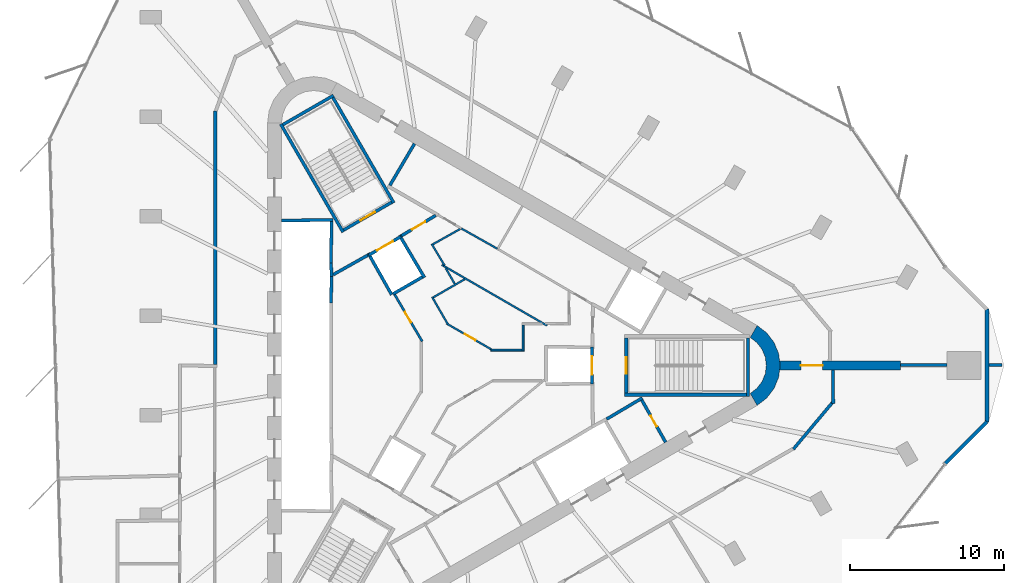
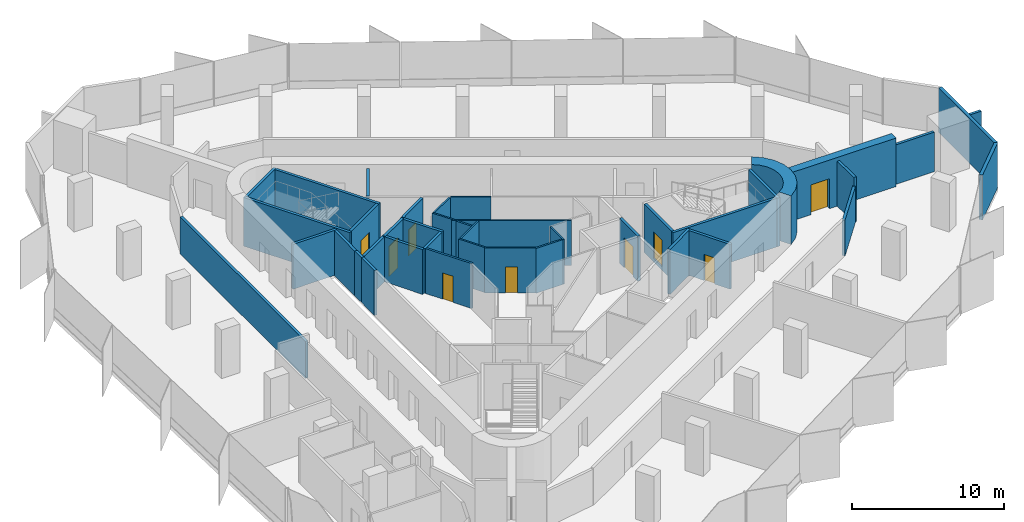
# One storey, part 9 of 12: 41 walls, 9 doors, 9 openings.
"""IFC4 building model written with IfcOpenShell, lengths in metres."""

from ifc_helpers import new_model, si_unit, direction, frame, frame_2d, origin, place, context, subcontext, project, spatial, polyline, rectangle, outline, extrude, material, layer, layer_set, type_object, element, fill, save


model = new_model("IFC4")

# Units and contexts
model_context = context("Model", 3, precision=1e-05, world=origin(), true_north=direction((0.0, 1.0)))
body_context = subcontext(model_context, "Body", "Model", "MODEL_VIEW")
ifc_project = project(units=[si_unit("LENGTHUNIT", "METRE"), si_unit("AREAUNIT", "SQUARE_METRE"), si_unit("VOLUMEUNIT", "CUBIC_METRE"), si_unit("PLANEANGLEUNIT", "RADIAN"), si_unit("MASSUNIT", "GRAM", prefix="KILO")], contexts=[model_context])

# Site, building, storey
site_placement = place(None, origin())
site = spatial("IfcSite", under=ifc_project, at=site_placement, CompositionType="ELEMENT")
building_placement = place(site_placement, origin())
building = spatial("IfcBuilding", under=site, at=building_placement, Name="Tanit Gate Tower", CompositionType="ELEMENT")
storey_placement = place(building_placement, frame((0.0, 0.0, 349.39990234375)))
storey = spatial("IfcBuildingStorey", under=building, at=storey_placement, Name="L79", CompositionType="ELEMENT", Elevation=349.39990234375)

# Wall, opening, door
ifc_material_1 = material(Name="Concrete C40/50", Category="concrete")
ifc_layer_1 = layer(ifc_material_1, 0.60009765625)
ifc_layer_set_1 = layer_set([ifc_layer_1], Name="BUTTRESS FIN 600 C40/50")
wall_type_1 = type_object("IfcWallType", Name="BUTTRESS FIN 600 C40/50", PredefinedType="SHEAR", material=ifc_layer_set_1)
wall_1_placement = place(storey_placement, frame((21.14990234375, 0.0, 0.0), z_axis=(0.0, 0.0, 1.0), x_axis=(1.0, 0.0, 0.0)))
wall_1 = element("IfcWall", 1, at=wall_1_placement, inside=storey, type_object=wall_type_1, Name="BUTTRESS FIN", PredefinedType="SHEAR", context=body_context, shape_type="SweptSolid", body=[
    extrude(rectangle(XDim=7.8544921875, YDim=0.60009765625, at=frame_2d((3.92724609375, 0.0))), origin(), (0.0, 0.0, 1.0), 3.900146484375),
])
opening_1_placement = place(wall_1_placement, frame((1.39990234375, 0.0, 0.0)))
opening_1 = element("IfcOpeningElement", 2, at=opening_1_placement, cuts=wall_1, Name="Opening P14-S22-F-E-1", PredefinedType="OPENING", context=body_context, shape_type="SweptSolid", body=[
    extrude(rectangle(XDim=1.39990234375, YDim=2.39990234375, at=frame_2d((0.699951171875, 1.199951171875))), frame((0.0, 0.31005859375, 0.0), z_axis=(0.0, -1.0, 0.0), x_axis=(1.0, 0.0, 0.0)), (0.0, 0.0, 1.0), 0.6201171875),
])
ifc_material_2 = material(Name="Timber door leaf", Category="wood")
door_type_1 = type_object("IfcDoorType", Name="INT-DOOR-FIN-PAIR-1400", OperationType="NOTDEFINED", PredefinedType="NOTDEFINED", material=ifc_material_2)
door_1_placement = place(opening_1_placement, origin())
door_1 = element("IfcDoor", 3, at=door_1_placement, inside=storey, type_object=door_type_1, Name="Door P14-S22-F-E-1", OperationType="DOUBLE_DOOR_SINGLE_SWING", OverallHeight=2.39990234375, OverallWidth=1.39990234375, PredefinedType="NOTDEFINED", context=body_context, shape_type="SweptSolid", body=[
    extrude(rectangle(XDim=1.39990234375, YDim=2.39990234375, at=frame_2d((0.699951171875, 1.199951171875))), frame((0.0, 0.02490234375, 0.0), z_axis=(0.0, -1.0, 0.0), x_axis=(1.0, 0.0, 0.0)), (0.0, 0.0, 1.0), 0.050048828125),
])
fill(opening_1, door_1)

# Walls
ifc_material_3 = material(Name="Concrete C40/50", Category="concrete")
ifc_layer_2 = layer(ifc_material_3, 0.89990234375)
ifc_layer_set_2 = layer_set([ifc_layer_2], Name="CORE WALL 900 C40/50")
wall_type_2 = type_object("IfcWallType", Name="CORE WALL 900 C40/50", PredefinedType="SHEAR", material=ifc_layer_set_2)
wall_2_placement = place(storey_placement, origin())
element("IfcWall", 4, at=wall_2_placement, inside=storey, type_object=wall_type_2, Name="CORE WALL CORNER", PredefinedType="SHEAR", context=body_context, shape_type="SweptSolid", body=[
    extrude(outline(polyline([(19.699951171875, -2.59814453125), (20.3212890625, -2.121337890625), (20.798095703125, -1.5), (21.097900390625, -0.776611328125), (21.199951171875, 0.0), (21.097900390625, 0.776611328125), (20.798095703125, 1.5), (20.3212890625, 2.121337890625), (19.699951171875, 2.59814453125), (19.25, 1.818603515625), (19.684814453125, 1.48486328125), (20.018798828125, 1.050048828125), (20.228515625, 0.54345703125), (20.300048828125, 0.0), (20.228515625, -0.54345703125), (20.018798828125, -1.050048828125), (19.684814453125, -1.48486328125), (19.25, -1.818603515625), (19.699951171875, -2.59814453125)])), origin(), (0.0, 0.0, 1.0), 3.900146484375),
])
ifc_material_4 = material(Name="Concrete C30/37 with bronze anodised aluminium cladding", Category="concrete")
ifc_layer_3 = layer(ifc_material_4, 0.239990234375)
ifc_layer_set_3 = layer_set([ifc_layer_3], Name="Facade wall bronze clad 240")
wall_type_3 = type_object("IfcWallType", Name="Facade wall bronze clad 240", PredefinedType="SOLIDWALL", material=ifc_layer_set_3)
wall_3_placement = place(storey_placement, frame((31.927001953125, -6.367431640625, 0.0), z_axis=(0.0, 0.0, 1.0), x_axis=(0.707074898653, 0.707138662283, 0.0)))
element("IfcWall", 5, at=wall_3_placement, inside=storey, type_object=wall_type_3, Name="Bronze-clad facade wall L79 E.arc1", PredefinedType="SOLIDWALL", context=body_context, shape_type="SweptSolid", body=[
    extrude(rectangle(XDim=3.828857421875, YDim=0.239990234375, at=frame_2d((1.91455078125, 0.0))), origin(), (0.0, 0.0, 1.0), 3.60009765625),
])
wall_4_placement = place(storey_placement, frame((34.63427734375, -3.659912109375, 0.0), z_axis=(0.0, 0.0, 1.0), x_axis=(0.0, 1.0, 0.0)))
element("IfcWall", 6, at=wall_4_placement, inside=storey, type_object=wall_type_3, Name="Bronze-clad facade wall L79 E.arc2", PredefinedType="SOLIDWALL", context=body_context, shape_type="SweptSolid", body=[
    extrude(rectangle(XDim=7.31982421875, YDim=0.239990234375, at=frame_2d((3.659912109375, 0.0))), origin(), (0.0, 0.0, 1.0), 3.60009765625),
])
ifc_material_5 = material(Name="Fire-rated gypsum board partition")
ifc_layer_4 = layer(ifc_material_5, 0.199951171875)
ifc_layer_set_4 = layer_set([ifc_layer_4], Name="INT-WALL-COMPARTMENT")
wall_type_4 = type_object("IfcWallType", Name="INT-WALL-COMPARTMENT", PredefinedType="PARTITIONING", material=ifc_layer_set_4)
wall_5_placement = place(storey_placement, frame((-2.557861328125, 14.409423828125, 0.0), z_axis=(0.0, 0.0, 1.0), x_axis=(-0.508018930956, -0.861345903683, 0.0)))
element("IfcWall", 7, at=wall_5_placement, inside=storey, type_object=wall_type_4, Name="Wall Compartment W049", PredefinedType="PARTITIONING", context=body_context, shape_type="SweptSolid", body=[
    extrude(rectangle(XDim=3.150146484375, YDim=0.199951171875, at=frame_2d((1.5751953125, 0.0))), origin(), (0.0, 0.0, 1.0), 3.60009765625),
])
wall_6_placement = place(storey_placement, frame((12.244873046875, -2.10888671875, 0.0), z_axis=(0.0, 0.0, 1.0), x_axis=(-0.860414880418, -0.509594185166, 0.0)))
element("IfcWall", 8, at=wall_6_placement, inside=storey, type_object=wall_type_4, Name="Wall Compartment W060", PredefinedType="PARTITIONING", context=body_context, shape_type="SweptSolid", body=[
    extrude(rectangle(XDim=2.7001953125, YDim=0.199951171875, at=frame_2d((1.35009765625, 0.0))), origin(), (0.0, 0.0, 1.0), 3.60009765625),
])

# Wall, opening, door
wall_7_placement = place(storey_placement, frame((13.758056640625, -4.989501953125, 0.0), z_axis=(0.0, 0.0, 1.0), x_axis=(-0.491993409184, 0.87059892334, 0.0)))
wall_7 = element("IfcWall", 9, at=wall_7_placement, inside=storey, type_object=wall_type_4, Name="Wall Compartment W061", PredefinedType="PARTITIONING", context=body_context, shape_type="SweptSolid", body=[
    extrude(rectangle(XDim=3.150146484375, YDim=0.199951171875, at=frame_2d((1.5751953125, 0.0))), origin(), (0.0, 0.0, 1.0), 3.60009765625),
])
opening_2_placement = place(wall_7_placement, frame((1.175048828125, 0.0, 0.0)))
opening_2 = element("IfcOpeningElement", 10, at=opening_2_placement, cuts=wall_7, Name="Opening R08-S22-20", PredefinedType="OPENING", context=body_context, shape_type="SweptSolid", body=[
    extrude(rectangle(XDim=0.800048828125, YDim=2.10009765625, at=frame_2d((0.39990234375, 1.050048828125))), frame((0.0, 0.10986328125, 0.0), z_axis=(0.0, -1.0, 0.0), x_axis=(1.0, 0.0, 0.0)), (0.0, 0.0, 1.0), 0.219970703125),
])
ifc_material_6 = material(Name="Timber door leaf", Category="wood")
door_type_2 = type_object("IfcDoorType", Name="INT-DOOR-RISER-800", OperationType="NOTDEFINED", PredefinedType="USERDEFINED", material=ifc_material_6)
door_2_placement = place(opening_2_placement, origin())
door_2 = element("IfcDoor", 11, at=door_2_placement, inside=storey, type_object=door_type_2, Name="Door R08-S22-20", ObjectType="FIRE DOOR", OperationType="SINGLE_SWING_RIGHT", OverallHeight=2.10009765625, OverallWidth=0.800048828125, PredefinedType="USERDEFINED", context=body_context, shape_type="SweptSolid", body=[
    extrude(rectangle(XDim=0.800048828125, YDim=2.10009765625, at=frame_2d((0.39990234375, 1.050048828125))), frame((0.0, 0.02490234375, 0.0), z_axis=(0.0, -1.0, 0.0), x_axis=(1.0, 0.0, 0.0)), (0.0, 0.0, 1.0), 0.050048828125),
])
fill(opening_2, door_2)

# Wall
wall_8_placement = place(storey_placement, frame((-5.600341796875, 7.16015625, 0.0), z_axis=(0.0, 0.0, 1.0), x_axis=(-0.871340486379, -0.490678873396, 0.0)))
element("IfcWall", 12, at=wall_8_placement, inside=storey, type_object=wall_type_4, Name="Wall Compartment W064", PredefinedType="PARTITIONING", context=body_context, shape_type="SweptSolid", body=[
    extrude(rectangle(XDim=2.580810546875, YDim=0.199951171875, at=frame_2d((1.29052734375, 0.0))), origin(), (0.0, 0.0, 1.0), 3.60009765625),
])

# Wall, opening, door
wall_9_placement = place(storey_placement, frame((-1.1787109375, 9.744873046875, 0.0), z_axis=(0.0, 0.0, 1.0), x_axis=(-0.860630814782, -0.509229418482, 0.0)))
wall_9 = element("IfcWall", 13, at=wall_9_placement, inside=storey, type_object=wall_type_4, Name="Wall Compartment W065", PredefinedType="PARTITIONING", context=body_context, shape_type="SweptSolid", body=[
    extrude(rectangle(XDim=2.581787109375, YDim=0.199951171875, at=frame_2d((1.291015625, 0.0))), origin(), (0.0, 0.0, 1.0), 3.60009765625),
])
opening_3_placement = place(wall_9_placement, frame((0.791015625, 0.0, 0.0)))
opening_3 = element("IfcOpeningElement", 14, at=opening_3_placement, cuts=wall_9, Name="Opening F10-S22-05", PredefinedType="OPENING", context=body_context, shape_type="SweptSolid", body=[
    extrude(rectangle(XDim=1.0, YDim=2.10009765625, at=frame_2d((0.5, 1.050048828125))), frame((0.0, 0.10986328125, 0.0), z_axis=(0.0, -1.0, 0.0), x_axis=(1.0, 0.0, 0.0)), (0.0, 0.0, 1.0), 0.219970703125),
])
ifc_material_7 = material(Name="Fire-rated steel door leaf", Category="steel")
door_type_3 = type_object("IfcDoorType", Name="INT-DOOR-FIRE-1000", OperationType="NOTDEFINED", PredefinedType="USERDEFINED", material=ifc_material_7)
door_3_placement = place(opening_3_placement, origin())
door_3 = element("IfcDoor", 15, at=door_3_placement, inside=storey, type_object=door_type_3, Name="Door F10-S22-05", ObjectType="FIRE DOOR", OperationType="SINGLE_SWING_LEFT", OverallHeight=2.10009765625, OverallWidth=1.0, PredefinedType="USERDEFINED", context=body_context, shape_type="SweptSolid", body=[
    extrude(rectangle(XDim=1.0, YDim=2.10009765625, at=frame_2d((0.5, 1.050048828125))), frame((0.0, 0.02490234375, 0.0), z_axis=(0.0, -1.0, 0.0), x_axis=(1.0, 0.0, 0.0)), (0.0, 0.0, 1.0), 0.050048828125),
])
fill(opening_3, door_3)

# Walls
wall_10_placement = place(storey_placement, frame((-15.5, 16.54052734375, 0.0), z_axis=(0.0, 0.0, 1.0), x_axis=(0.0, -1.0, 0.0)))
element("IfcWall", 16, at=wall_10_placement, inside=storey, type_object=wall_type_4, Name="Wall Compartment W102", PredefinedType="PARTITIONING", context=body_context, shape_type="SweptSolid", body=[
    extrude(rectangle(XDim=16.470458984375, YDim=0.199951171875, at=frame_2d((8.2353515625, 0.0))), origin(), (0.0, 0.0, 1.0), 2.97021484375),
])
wall_11_placement = place(storey_placement, frame((24.647705078125, -2.46240234375, 0.0), z_axis=(0.0, 0.0, 1.0), x_axis=(-0.012757232068, 0.999918623204, 0.0)))
element("IfcWall", 17, at=wall_11_placement, inside=storey, type_object=wall_type_4, Name="Wall Compartment W110", PredefinedType="PARTITIONING", context=body_context, shape_type="SweptSolid", body=[
    extrude(rectangle(XDim=2.16259765625, YDim=0.199951171875, at=frame_2d((1.081298828125, 0.0))), origin(), (0.0, 0.0, 1.0), 3.60009765625),
])
wall_12_placement = place(storey_placement, frame((22.05419921875, -5.435302734375, 0.0), z_axis=(0.0, 0.0, 1.0), x_axis=(0.642790979996, 0.766041615081, 0.0)))
element("IfcWall", 18, at=wall_12_placement, inside=storey, type_object=wall_type_4, Name="Wall Compartment W111", PredefinedType="PARTITIONING", context=body_context, shape_type="SweptSolid", body=[
    extrude(rectangle(XDim=3.9833984375, YDim=0.199951171875, at=frame_2d((1.99169921875, 0.0))), origin(), (0.0, 0.0, 1.0), 2.880126953125),
])
wall_13_placement = place(storey_placement, frame((29.00439453125, 0.017822265625, 0.0), z_axis=(0.0, 0.0, 1.0), x_axis=(0.999991911041, 0.004022170023, 0.0)))
element("IfcWall", 19, at=wall_13_placement, inside=storey, type_object=wall_type_4, Name="Wall Compartment W131", PredefinedType="PARTITIONING", context=body_context, shape_type="SweptSolid", body=[
    extrude(rectangle(XDim=3.034912109375, YDim=0.199951171875, at=frame_2d((1.517578125, 0.0))), origin(), (0.0, 0.0, 1.0), 3.170166015625),
])
wall_14_placement = place(storey_placement, frame((34.75439453125, 0.030029296875, 0.0), z_axis=(0.0, 0.0, 1.0), x_axis=(1.0, 0.0, 0.0)))
element("IfcWall", 20, at=wall_14_placement, inside=storey, type_object=wall_type_4, Name="Wall Compartment W132", PredefinedType="PARTITIONING", context=body_context, shape_type="SweptSolid", body=[
    extrude(rectangle(XDim=0.8525390625, YDim=0.199951171875, at=frame_2d((0.42626953125, 0.0))), origin(), (0.0, 0.0, 1.0), 3.60009765625),
])
ifc_material_8 = material(Name="Gypsum board partition")
ifc_layer_5 = layer(ifc_material_8, 0.1201171875)
ifc_layer_set_5 = layer_set([ifc_layer_5], Name="INT-WALL-PARTITION")
wall_type_5 = type_object("IfcWallType", Name="INT-WALL-PARTITION", PredefinedType="PARTITIONING", material=ifc_layer_set_5)
wall_15_placement = place(storey_placement, frame((0.493896484375, 8.895751953125, 0.0), z_axis=(0.0, 0.0, 1.0), x_axis=(0.871426548871, -0.490526013503, 0.0)))
element("IfcWall", 21, at=wall_15_placement, inside=storey, type_object=wall_type_5, Name="Wall Partition W050", PredefinedType="PARTITIONING", context=body_context, shape_type="SweptSolid", body=[
    extrude(rectangle(XDim=2.670166015625, YDim=0.1201171875, at=frame_2d((1.3349609375, 0.0))), origin(), (0.0, 0.0, 1.0), 3.60009765625),
])
wall_16_placement = place(storey_placement, frame((-0.786376953125, 6.5380859375, 0.0), z_axis=(0.0, 0.0, 1.0), x_axis=(0.866034288228, -0.499984611377, 0.0)))
element("IfcWall", 22, at=wall_16_placement, inside=storey, type_object=wall_type_5, Name="Wall Partition W079", PredefinedType="PARTITIONING", context=body_context, shape_type="SweptSolid", body=[
    extrude(rectangle(XDim=7.900146484375, YDim=0.1201171875, at=frame_2d((3.9501953125, 0.0))), origin(), (0.0, 0.0, 1.0), 3.60009765625),
])
wall_17_placement = place(storey_placement, frame((4.5, 0.93994140625, 0.0), z_axis=(0.0, 0.0, 1.0), x_axis=(0.0, 1.0, 0.0)))
element("IfcWall", 23, at=wall_17_placement, inside=storey, type_object=wall_type_5, Name="Wall Partition W081", PredefinedType="PARTITIONING", context=body_context, shape_type="SweptSolid", body=[
    extrude(rectangle(XDim=1.699951171875, YDim=0.1201171875, at=frame_2d((0.85009765625, 0.0))), origin(), (0.0, 0.0, 1.0), 3.60009765625),
])
wall_18_placement = place(storey_placement, frame((2.407470703125, 1.0, 0.0), z_axis=(0.0, 0.0, 1.0), x_axis=(1.0, 0.0, 0.0)))
element("IfcWall", 24, at=wall_18_placement, inside=storey, type_object=wall_type_5, Name="Wall Partition W082", PredefinedType="PARTITIONING", context=body_context, shape_type="SweptSolid", body=[
    extrude(rectangle(XDim=2.032470703125, YDim=0.1201171875, at=frame_2d((1.01611328125, 0.0))), origin(), (0.0, 0.0, 1.0), 3.60009765625),
])

# Wall, opening, door
wall_19_placement = place(storey_placement, frame((-0.479736328125, 2.72705078125, 0.0), z_axis=(0.0, 0.0, 1.0), x_axis=(0.86601279846, -0.500021832428, 0.0)))
wall_19 = element("IfcWall", 25, at=wall_19_placement, inside=storey, type_object=wall_type_5, Name="Wall Partition W083", PredefinedType="PARTITIONING", context=body_context, shape_type="SweptSolid", body=[
    extrude(rectangle(XDim=3.435302734375, YDim=0.1201171875, at=frame_2d((1.7177734375, 0.0))), origin(), (0.0, 0.0, 1.0), 3.60009765625),
])
opening_4_placement = place(wall_19_placement, frame((1.36962890625, 0.0, 0.0)))
opening_4 = element("IfcOpeningElement", 26, at=opening_4_placement, cuts=wall_19, Name="Opening R08-S22-13", PredefinedType="OPENING", context=body_context, shape_type="SweptSolid", body=[
    extrude(rectangle(XDim=0.800048828125, YDim=2.10009765625, at=frame_2d((0.39990234375, 1.050048828125))), frame((0.0, 0.070068359375, 0.0), z_axis=(0.0, -1.0, 0.0), x_axis=(1.0, 0.0, 0.0)), (0.0, 0.0, 1.0), 0.14013671875),
])
door_4_placement = place(opening_4_placement, origin())
door_4 = element("IfcDoor", 27, at=door_4_placement, inside=storey, type_object=door_type_2, Name="Door R08-S22-13", ObjectType="FIRE DOOR", OperationType="SINGLE_SWING_RIGHT", OverallHeight=2.10009765625, OverallWidth=0.800048828125, PredefinedType="USERDEFINED", context=body_context, shape_type="SweptSolid", body=[
    extrude(rectangle(XDim=0.800048828125, YDim=2.10009765625, at=frame_2d((0.39990234375, 1.050048828125))), frame((0.0, 0.02490234375, 0.0), z_axis=(0.0, -1.0, 0.0), x_axis=(1.0, 0.0, 0.0)), (0.0, 0.0, 1.0), 0.050048828125),
])
fill(opening_4, door_4)

# Walls
wall_20_placement = place(storey_placement, frame((-1.4140625, 4.448974609375, 0.0), z_axis=(0.0, 0.0, 1.0), x_axis=(0.500097243556, -0.865969252911, 0.0)))
element("IfcWall", 28, at=wall_20_placement, inside=storey, type_object=wall_type_5, Name="Wall Partition W084", PredefinedType="PARTITIONING", context=body_context, shape_type="SweptSolid", body=[
    extrude(rectangle(XDim=2.02978515625, YDim=0.1201171875, at=frame_2d((1.014892578125, 0.0))), origin(), (0.0, 0.0, 1.0), 3.60009765625),
])
wall_21_placement = place(storey_placement, frame((0.708984375, 5.60546875, 0.0), z_axis=(0.0, 0.0, 1.0), x_axis=(-0.8660096254, -0.500027327967, 0.0)))
element("IfcWall", 29, at=wall_21_placement, inside=storey, type_object=wall_type_5, Name="Wall Partition W085", PredefinedType="PARTITIONING", context=body_context, shape_type="SweptSolid", body=[
    extrude(rectangle(XDim=2.356689453125, YDim=0.1201171875, at=frame_2d((1.17822265625, 0.0))), origin(), (0.0, 0.0, 1.0), 3.60009765625),
])
wall_22_placement = place(storey_placement, frame((-0.532470703125, 6.322265625, 0.0), z_axis=(0.0, 0.0, 1.0), x_axis=(0.50005036918, -0.865996321171, 0.0)))
element("IfcWall", 30, at=wall_22_placement, inside=storey, type_object=wall_type_5, Name="Wall Partition W086", PredefinedType="PARTITIONING", context=body_context, shape_type="SweptSolid", body=[
    extrude(rectangle(XDim=1.181640625, YDim=0.1201171875, at=frame_2d((0.5908203125, 0.0))), origin(), (0.0, 0.0, 1.0), 3.60009765625),
])
wall_23_placement = place(storey_placement, frame((-1.442626953125, 7.896728515625, 0.0), z_axis=(0.0, 0.0, 1.0), x_axis=(0.514937238613, -0.85722788119, 0.0)))
element("IfcWall", 31, at=wall_23_placement, inside=storey, type_object=wall_type_5, Name="Wall Partition W087", PredefinedType="PARTITIONING", context=body_context, shape_type="SweptSolid", body=[
    extrude(rectangle(XDim=1.626220703125, YDim=0.1201171875, at=frame_2d((0.81298828125, 0.0))), origin(), (0.0, 0.0, 1.0), 3.60009765625),
])
wall_24_placement = place(storey_placement, frame((0.414306640625, 8.87109375, 0.0), z_axis=(0.0, 0.0, 1.0), x_axis=(-0.871809386997, -0.48984527429, 0.0)))
element("IfcWall", 32, at=wall_24_placement, inside=storey, type_object=wall_type_5, Name="Wall Partition W088", PredefinedType="PARTITIONING", context=body_context, shape_type="SweptSolid", body=[
    extrude(rectangle(XDim=2.034423828125, YDim=0.1201171875, at=frame_2d((1.01708984375, 0.0))), origin(), (0.0, 0.0, 1.0), 3.60009765625),
])

# Wall, opening, door
ifc_material_9 = material(Name="Fire-rated gypsum board partition")
ifc_layer_6 = layer(ifc_material_9, 0.14990234375)
ifc_layer_set_6 = layer_set([ifc_layer_6], Name="INT-WALL-RISER")
wall_type_6 = type_object("IfcWallType", Name="INT-WALL-RISER", PredefinedType="PLUMBINGWALL", material=ifc_layer_set_6)
wall_25_placement = place(storey_placement, frame((-2.05712890625, 1.565185546875, 0.0), z_axis=(0.0, 0.0, 1.0), x_axis=(-0.507299271879, 0.861769951176, 0.0)))
wall_25 = element("IfcWall", 33, at=wall_25_placement, inside=storey, type_object=wall_type_6, Name="Wall Riser W068", PredefinedType="PLUMBINGWALL", context=body_context, shape_type="SweptSolid", body=[
    extrude(rectangle(XDim=3.51611328125, YDim=0.14990234375, at=frame_2d((1.758056640625, 0.0))), origin(), (0.0, 0.0, 1.0), 3.60009765625),
])
opening_5_placement = place(wall_25_placement, frame((1.421630859375, 0.0, 0.0)))
opening_5 = element("IfcOpeningElement", 34, at=opening_5_placement, cuts=wall_25, Name="Opening R08-S22-10", PredefinedType="OPENING", context=body_context, shape_type="SweptSolid", body=[
    extrude(rectangle(XDim=0.800048828125, YDim=2.10009765625, at=frame_2d((0.39990234375, 1.050048828125))), frame((0.0, 0.0849609375, 0.0), z_axis=(0.0, -1.0, 0.0), x_axis=(1.0, 0.0, 0.0)), (0.0, 0.0, 1.0), 0.169921875),
])
door_5_placement = place(opening_5_placement, origin())
door_5 = element("IfcDoor", 35, at=door_5_placement, inside=storey, type_object=door_type_2, Name="Door R08-S22-10", ObjectType="FIRE DOOR", OperationType="SINGLE_SWING_RIGHT", OverallHeight=2.10009765625, OverallWidth=0.800048828125, PredefinedType="USERDEFINED", context=body_context, shape_type="SweptSolid", body=[
    extrude(rectangle(XDim=0.800048828125, YDim=2.10009765625, at=frame_2d((0.39990234375, 1.050048828125))), frame((0.0, 0.02490234375, 0.0), z_axis=(0.0, -1.0, 0.0), x_axis=(1.0, 0.0, 0.0)), (0.0, 0.0, 1.0), 0.050048828125),
])
fill(opening_5, door_5)

# Walls
ifc_material_10 = material(Name="Gypsum shaft wall system")
ifc_layer_7 = layer(ifc_material_10, 0.199951171875)
ifc_layer_set_7 = layer_set([ifc_layer_7], Name="INT-WALL-SHAFT")
wall_type_7 = type_object("IfcWallType", Name="INT-WALL-SHAFT", PredefinedType="PLUMBINGWALL", material=ifc_layer_set_7)
wall_26_placement = place(storey_placement, frame((-11.199951171875, 9.419921875, 0.0), z_axis=(0.0, 0.0, 1.0), x_axis=(0.999957167047, 0.009255488683, 0.0)))
element("IfcWall", 36, at=wall_26_placement, inside=storey, type_object=wall_type_7, Name="Wall Shaft W001", PredefinedType="PLUMBINGWALL", context=body_context, shape_type="SweptSolid", body=[
    extrude(rectangle(XDim=3.35009765625, YDim=0.199951171875, at=frame_2d((1.675048828125, 0.0))), origin(), (0.0, 0.0, 1.0), 3.60009765625),
])
wall_27_placement = place(storey_placement, frame((-7.951171875, 9.35009765625, 0.0), z_axis=(0.0, 0.0, 1.0), x_axis=(-0.011120469654, -0.999938165666, 0.0)))
element("IfcWall", 37, at=wall_27_placement, inside=storey, type_object=wall_type_7, Name="Wall Shaft W002", PredefinedType="PLUMBINGWALL", context=body_context, shape_type="SweptSolid", body=[
    extrude(rectangle(XDim=2.700439453125, YDim=0.199951171875, at=frame_2d((1.35009765625, 0.0))), origin(), (0.0, 0.0, 1.0), 3.60009765625),
])
wall_28_placement = place(storey_placement, frame((-7.97705078125, 6.650146484375, 0.0), z_axis=(0.0, 0.0, 1.0), x_axis=(0.030861509705, -0.999523670164, 0.0)))
element("IfcWall", 38, at=wall_28_placement, inside=storey, type_object=wall_type_7, Name="Wall Shaft W003", PredefinedType="PLUMBINGWALL", context=body_context, shape_type="SweptSolid", body=[
    extrude(rectangle(XDim=0.878173828125, YDim=0.199951171875, at=frame_2d((0.43896484375, 0.0))), origin(), (0.0, 0.0, 1.0), 3.60009765625),
])
wall_29_placement = place(storey_placement, frame((-7.948974609375, 5.894287109375, 0.0), z_axis=(0.0, 0.0, 1.0), x_axis=(-0.016809909365, -0.999858703491, 0.0)))
element("IfcWall", 39, at=wall_29_placement, inside=storey, type_object=wall_type_7, Name="Wall Shaft W004", PredefinedType="PLUMBINGWALL", context=body_context, shape_type="SweptSolid", body=[
    extrude(rectangle(XDim=1.844482421875, YDim=0.199951171875, at=frame_2d((0.92236328125, 0.0))), origin(), (0.0, 0.0, 1.0), 3.60009765625),
])

# Wall, opening, door
wall_30_placement = place(storey_placement, frame((8.969970703125, 1.199951171875, 0.0), z_axis=(0.0, 0.0, 1.0), x_axis=(0.0, -1.0, 0.0)))
wall_30 = element("IfcWall", 40, at=wall_30_placement, inside=storey, type_object=wall_type_7, Name="Wall Shaft W024", PredefinedType="PLUMBINGWALL", context=body_context, shape_type="SweptSolid", body=[
    extrude(rectangle(XDim=2.39990234375, YDim=0.199951171875, at=frame_2d((1.199951171875, 0.0))), origin(), (0.0, 0.0, 1.0), 3.60009765625),
])
opening_6_placement = place(wall_30_placement, frame((0.60009765625, 0.0, 0.0)))
opening_6 = element("IfcOpeningElement", 41, at=opening_6_placement, cuts=wall_30, Name="Opening LDFL1-L79", PredefinedType="OPENING", context=body_context, shape_type="SweptSolid", body=[
    extrude(rectangle(XDim=1.199951171875, YDim=2.39990234375, at=frame_2d((0.60009765625, 1.199951171875))), frame((0.0, 0.10986328125, 0.0), z_axis=(0.0, -1.0, 0.0), x_axis=(1.0, 0.0, 0.0)), (0.0, 0.0, 1.0), 0.219970703125),
])
ifc_material_11 = material(Name="Stainless steel sliding door leaf", Category="steel")
door_type_4 = type_object("IfcDoorType", Name="INT-DOOR-LANDING-1200", OperationType="NOTDEFINED", PredefinedType="USERDEFINED", material=ifc_material_11)
door_6_placement = place(opening_6_placement, origin())
door_6 = element("IfcDoor", 42, at=door_6_placement, inside=storey, type_object=door_type_4, Name="Door LDFL1-L79", ObjectType="LANDING DOOR", OperationType="SLIDING_TO_LEFT", OverallHeight=2.39990234375, OverallWidth=1.199951171875, PredefinedType="USERDEFINED", context=body_context, shape_type="SweptSolid", body=[
    extrude(rectangle(XDim=1.199951171875, YDim=2.39990234375, at=frame_2d((0.60009765625, 1.199951171875))), frame((0.0, 0.02490234375, 0.0), z_axis=(0.0, -1.0, 0.0), x_axis=(1.0, 0.0, 0.0)), (0.0, 0.0, 1.0), 0.050048828125),
])
fill(opening_6, door_6)

wall_31_placement = place(storey_placement, frame((-5.524169921875, 7.168212890625, 0.0), z_axis=(0.0, 0.0, 1.0), x_axis=(0.866024647952, 0.500001309137, 0.0)))
wall_31 = element("IfcWall", 43, at=wall_31_placement, inside=storey, type_object=wall_type_7, Name="Wall Shaft W032", PredefinedType="PLUMBINGWALL", context=body_context, shape_type="SweptSolid", body=[
    extrude(rectangle(XDim=2.39990234375, YDim=0.199951171875, at=frame_2d((1.199951171875, 0.0))), origin(), (0.0, 0.0, 1.0), 3.60009765625),
])
opening_7_placement = place(wall_31_placement, frame((0.60009765625, 0.0, 0.0)))
opening_7 = element("IfcOpeningElement", 44, at=opening_7_placement, cuts=wall_31, Name="Opening LDFL2-L79", PredefinedType="OPENING", context=body_context, shape_type="SweptSolid", body=[
    extrude(rectangle(XDim=1.199951171875, YDim=2.39990234375, at=frame_2d((0.60009765625, 1.199951171875))), frame((0.0, 0.10986328125, 0.0), z_axis=(0.0, -1.0, 0.0), x_axis=(1.0, 0.0, 0.0)), (0.0, 0.0, 1.0), 0.219970703125),
])
door_7_placement = place(opening_7_placement, origin())
door_7 = element("IfcDoor", 45, at=door_7_placement, inside=storey, type_object=door_type_4, Name="Door LDFL2-L79", ObjectType="LANDING DOOR", OperationType="SLIDING_TO_LEFT", OverallHeight=2.39990234375, OverallWidth=1.199951171875, PredefinedType="USERDEFINED", context=body_context, shape_type="SweptSolid", body=[
    extrude(rectangle(XDim=1.199951171875, YDim=2.39990234375, at=frame_2d((0.60009765625, 1.199951171875))), frame((0.0, 0.02490234375, 0.0), z_axis=(0.0, -1.0, 0.0), x_axis=(1.0, 0.0, 0.0)), (0.0, 0.0, 1.0), 0.050048828125),
])
fill(opening_7, door_7)

# Walls
wall_32_placement = place(storey_placement, frame((-4.039306640625, 4.59619140625, 0.0), z_axis=(0.0, 0.0, 1.0), x_axis=(-0.491322718731, 0.870977603649, 0.0)))
element("IfcWall", 46, at=wall_32_placement, inside=storey, type_object=wall_type_7, Name="Wall Shaft W033", PredefinedType="PLUMBINGWALL", context=body_context, shape_type="SweptSolid", body=[
    extrude(rectangle(XDim=3.10009765625, YDim=0.199951171875, at=frame_2d((1.550048828125, 0.0))), origin(), (0.0, 0.0, 1.0), 3.60009765625),
])
wall_33_placement = place(storey_placement, frame((-3.53759765625, 8.46533203125, 0.0), z_axis=(0.0, 0.0, 1.0), x_axis=(0.508616218331, -0.860993346345, 0.0)))
element("IfcWall", 47, at=wall_33_placement, inside=storey, type_object=wall_type_7, Name="Wall Shaft W034", PredefinedType="PLUMBINGWALL", context=body_context, shape_type="SweptSolid", body=[
    extrude(rectangle(XDim=3.2001953125, YDim=0.199951171875, at=frame_2d((1.60009765625, 0.0))), origin(), (0.0, 0.0, 1.0), 3.60009765625),
])
wall_34_placement = place(storey_placement, frame((-2.04736328125, 5.74609375, 0.0), z_axis=(0.0, 0.0, 1.0), x_axis=(-0.866019606374, -0.500010041276, 0.0)))
element("IfcWall", 48, at=wall_34_placement, inside=storey, type_object=wall_type_7, Name="Wall Shaft W035", PredefinedType="PLUMBINGWALL", context=body_context, shape_type="SweptSolid", body=[
    extrude(rectangle(XDim=2.20458984375, YDim=0.199951171875, at=frame_2d((1.102294921875, 0.0))), origin(), (0.0, 0.0, 1.0), 3.60009765625),
])
ifc_material_12 = material(Name="Concrete C40/50", Category="concrete")
ifc_layer_8 = layer(ifc_material_12, 0.199951171875)
ifc_layer_set_8 = layer_set([ifc_layer_8], Name="INT-WALL-STAIR")
wall_type_8 = type_object("IfcWallType", Name="INT-WALL-STAIR", PredefinedType="SHEAR", material=ifc_layer_set_8)
wall_35_placement = place(storey_placement, frame((19.10009765625, -2.0, -0.2998046875), z_axis=(0.0, 0.0, 1.0), x_axis=(0.0, 1.0, 0.0)))
element("IfcWall", 49, at=wall_35_placement, inside=storey, type_object=wall_type_8, Name="Wall Stair W021", PredefinedType="SHEAR", context=body_context, shape_type="SweptSolid", body=[
    extrude(rectangle(XDim=3.800048828125, YDim=0.199951171875, at=frame_2d((1.89990234375, 0.0))), origin(), (0.0, 0.0, 1.0), 3.89990234375),
])
wall_36_placement = place(storey_placement, frame((11.10009765625, -1.89990234375, -0.2998046875), z_axis=(0.0, 0.0, 1.0), x_axis=(1.0, 0.0, 0.0)))
element("IfcWall", 50, at=wall_36_placement, inside=storey, type_object=wall_type_8, Name="Wall Stair W022", PredefinedType="SHEAR", context=body_context, shape_type="SweptSolid", body=[
    extrude(rectangle(XDim=7.89990234375, YDim=0.199951171875, at=frame_2d((3.949951171875, 0.0))), origin(), (0.0, 0.0, 1.0), 3.89990234375),
])

# Wall, opening, door
wall_37_placement = place(storey_placement, frame((11.199951171875, -1.800048828125, -0.2998046875), z_axis=(0.0, 0.0, 1.0), x_axis=(0.0, 1.0, 0.0)))
wall_37 = element("IfcWall", 51, at=wall_37_placement, inside=storey, type_object=wall_type_8, Name="Wall Stair W023", PredefinedType="SHEAR", context=body_context, shape_type="SweptSolid", body=[
    extrude(rectangle(XDim=3.60009765625, YDim=0.199951171875, at=frame_2d((1.800048828125, 0.0))), origin(), (0.0, 0.0, 1.0), 3.89990234375),
])
opening_8_placement = place(wall_37_placement, frame((1.25, 0.0, 0.300048828125)))
opening_8 = element("IfcOpeningElement", 52, at=opening_8_placement, cuts=wall_37, Name="Opening S11-S22-01", PredefinedType="OPENING", context=body_context, shape_type="SweptSolid", body=[
    extrude(rectangle(XDim=1.10009765625, YDim=2.10009765625, at=frame_2d((0.550048828125, 1.050048828125))), frame((0.0, 0.10986328125, 0.0), z_axis=(0.0, -1.0, 0.0), x_axis=(1.0, 0.0, 0.0)), (0.0, 0.0, 1.0), 0.219970703125),
])
ifc_material_13 = material(Name="Timber door leaf", Category="wood")
door_type_5 = type_object("IfcDoorType", Name="INT-DOOR-STAIR-1100", OperationType="NOTDEFINED", PredefinedType="USERDEFINED", material=ifc_material_13)
door_8_placement = place(opening_8_placement, origin())
door_8 = element("IfcDoor", 53, at=door_8_placement, inside=storey, type_object=door_type_5, Name="Door S11-S22-01", ObjectType="FIRE DOOR", OperationType="SINGLE_SWING_LEFT", OverallHeight=2.10009765625, OverallWidth=1.10009765625, PredefinedType="USERDEFINED", context=body_context, shape_type="SweptSolid", body=[
    extrude(rectangle(XDim=1.10009765625, YDim=2.10009765625, at=frame_2d((0.550048828125, 1.050048828125))), frame((0.0, 0.02490234375, 0.0), z_axis=(0.0, -1.0, 0.0), x_axis=(1.0, 0.0, 0.0)), (0.0, 0.0, 1.0), 0.050048828125),
])
fill(opening_8, door_8)

# Walls
wall_38_placement = place(storey_placement, frame((-11.245361328125, 15.677734375, -0.2998046875), z_axis=(0.0, 0.0, 1.0), x_axis=(0.499977274689, -0.866038523851, 0.0)))
element("IfcWall", 54, at=wall_38_placement, inside=storey, type_object=wall_type_8, Name="Wall Stair W028", PredefinedType="SHEAR", context=body_context, shape_type="SweptSolid", body=[
    extrude(rectangle(XDim=8.10009765625, YDim=0.199951171875, at=frame_2d((4.050048828125, 0.0))), origin(), (0.0, 0.0, 1.0), 3.89990234375),
])
wall_39_placement = place(storey_placement, frame((-7.81787109375, 17.541015625, -0.2998046875), z_axis=(0.0, 0.0, 1.0), x_axis=(-0.866044365799, -0.499967155389, 0.0)))
element("IfcWall", 55, at=wall_39_placement, inside=storey, type_object=wall_type_8, Name="Wall Stair W029", PredefinedType="SHEAR", context=body_context, shape_type="SweptSolid", body=[
    extrude(rectangle(XDim=3.800048828125, YDim=0.199951171875, at=frame_2d((1.89990234375, 0.0))), origin(), (0.0, 0.0, 1.0), 3.89990234375),
])
wall_40_placement = place(storey_placement, frame((-7.8544921875, 17.404541015625, -0.2998046875), z_axis=(0.0, 0.0, 1.0), x_axis=(0.499997992926, -0.866026562566, 0.0)))
element("IfcWall", 56, at=wall_40_placement, inside=storey, type_object=wall_type_8, Name="Wall Stair W030", PredefinedType="SHEAR", context=body_context, shape_type="SweptSolid", body=[
    extrude(rectangle(XDim=7.89990234375, YDim=0.199951171875, at=frame_2d((3.949951171875, 0.0))), origin(), (0.0, 0.0, 1.0), 3.89990234375),
])

# Wall, opening, door
wall_41_placement = place(storey_placement, frame((-7.158935546875, 8.799560546875, -0.2998046875), z_axis=(0.0, 0.0, 1.0), x_axis=(0.866047807691, 0.499961193289, 0.0)))
wall_41 = element("IfcWall", 57, at=wall_41_placement, inside=storey, type_object=wall_type_8, Name="Wall Stair W031", PredefinedType="SHEAR", context=body_context, shape_type="SweptSolid", body=[
    extrude(rectangle(XDim=3.599853515625, YDim=0.199951171875, at=frame_2d((1.7998046875, 0.0))), origin(), (0.0, 0.0, 1.0), 3.89990234375),
])
opening_9_placement = place(wall_41_placement, frame((1.25, 0.0, 0.300048828125)))
opening_9 = element("IfcOpeningElement", 58, at=opening_9_placement, cuts=wall_41, Name="Opening S11-S22-04", PredefinedType="OPENING", context=body_context, shape_type="SweptSolid", body=[
    extrude(rectangle(XDim=1.10009765625, YDim=2.10009765625, at=frame_2d((0.550048828125, 1.050048828125))), frame((0.0, 0.10986328125, 0.0), z_axis=(0.0, -1.0, 0.0), x_axis=(1.0, 0.0, 0.0)), (0.0, 0.0, 1.0), 0.219970703125),
])
door_9_placement = place(opening_9_placement, origin())
door_9 = element("IfcDoor", 59, at=door_9_placement, inside=storey, type_object=door_type_5, Name="Door S11-S22-04", ObjectType="FIRE DOOR", OperationType="SINGLE_SWING_LEFT", OverallHeight=2.10009765625, OverallWidth=1.10009765625, PredefinedType="USERDEFINED", context=body_context, shape_type="SweptSolid", body=[
    extrude(rectangle(XDim=1.10009765625, YDim=2.10009765625, at=frame_2d((0.550048828125, 1.050048828125))), frame((0.0, 0.02490234375, 0.0), z_axis=(0.0, -1.0, 0.0), x_axis=(1.0, 0.0, 0.0)), (0.0, 0.0, 1.0), 0.050048828125),
])
fill(opening_9, door_9)

save(model, "model.ifc")
